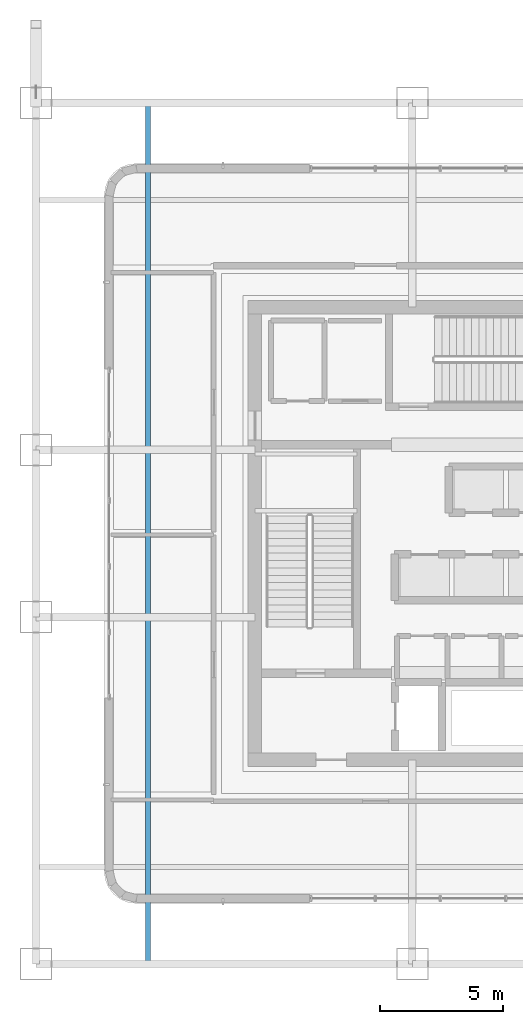
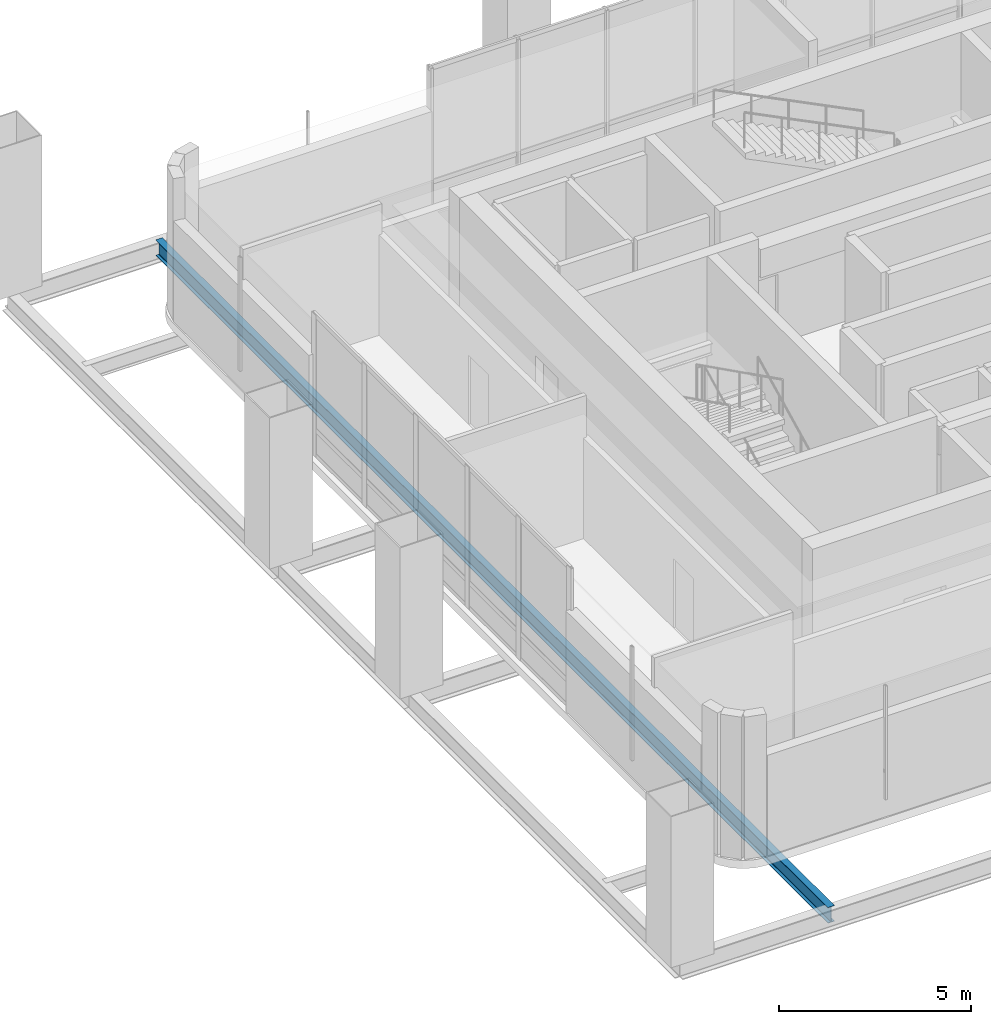
# One storey, part 9 of 33: 1 beam.
"""IFC4 building model written with IfcOpenShell, lengths in metres."""

from ifc_helpers import new_model, si_unit, direction, frame, origin, origin_2d, place, context, subcontext, project, spatial, i_section, extrude, material, material_profile, profile_set, type_object, element, save


model = new_model("IFC4")

# Units and contexts
model_context = context("Model", 3, precision=1e-05, world=origin(), true_north=direction((0.0, 1.0)))
body_context = subcontext(model_context, "Body", "Model", "MODEL_VIEW")
ifc_project = project(units=[si_unit("LENGTHUNIT", "METRE"), si_unit("AREAUNIT", "SQUARE_METRE"), si_unit("VOLUMEUNIT", "CUBIC_METRE"), si_unit("PLANEANGLEUNIT", "RADIAN"), si_unit("MASSUNIT", "GRAM", prefix="KILO")], contexts=[model_context])

# Site, building, storey
site_placement = place(None, origin())
site = spatial("IfcSite", under=ifc_project, at=site_placement, CompositionType="ELEMENT")
building_placement = place(site_placement, origin())
building = spatial("IfcBuilding", under=site, at=building_placement, Name="Punatoya Terracotta Tower", CompositionType="ELEMENT")
storey_placement = place(building_placement, frame((0.0, 0.0, 246.60009765625)))
storey = spatial("IfcBuildingStorey", under=building, at=storey_placement, Name="L58", CompositionType="ELEMENT", Elevation=246.60009765625)

# Beam
ifc_material = material(Name="Steel S355", Category="steel")
ifc_material_profile = material_profile(ifc_material, i_section(OverallWidth=0.199951171875, OverallDepth=0.5, WebThickness=0.01025390625, FlangeThickness=0.01611328125, FilletRadius=0.01806640625, at=origin_2d()))
ifc_profile_set = profile_set([ifc_material_profile], Name="Steel S355")
beam_type = type_object("IfcBeamType", Name="BM-SPN-500", PredefinedType="SPANDREL", material=ifc_profile_set)
beam_placement = place(storey_placement, frame((-14.550048828125, -17.5, -0.510009765625), z_axis=(0.0, 1.0, 0.0), x_axis=(-1.0, 0.0, 0.0)))
element("IfcBeam", 1, at=beam_placement, inside=storey, type_object=beam_type, Name="BM-L58-NCK-W", PredefinedType="SPANDREL", context=body_context, shape_type="SweptSolid", body=[
    extrude(i_section(OverallWidth=0.199951171875, OverallDepth=0.5, WebThickness=0.01025390625, FlangeThickness=0.01611328125, FilletRadius=0.01806640625, at=origin_2d()), origin(), (0.0, 0.0, 1.0), 35.0),
])

save(model, "model.ifc")
